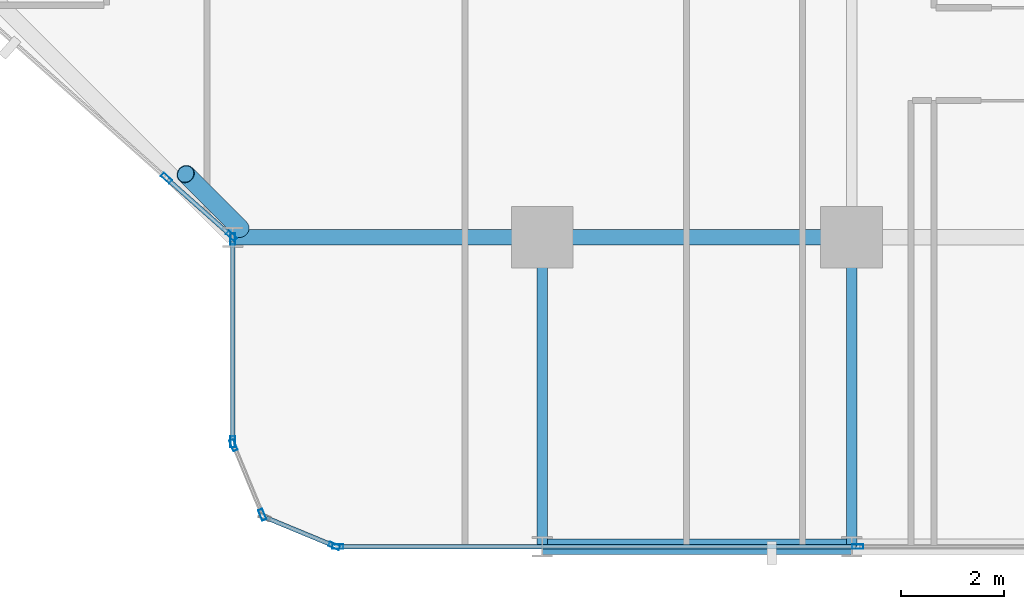
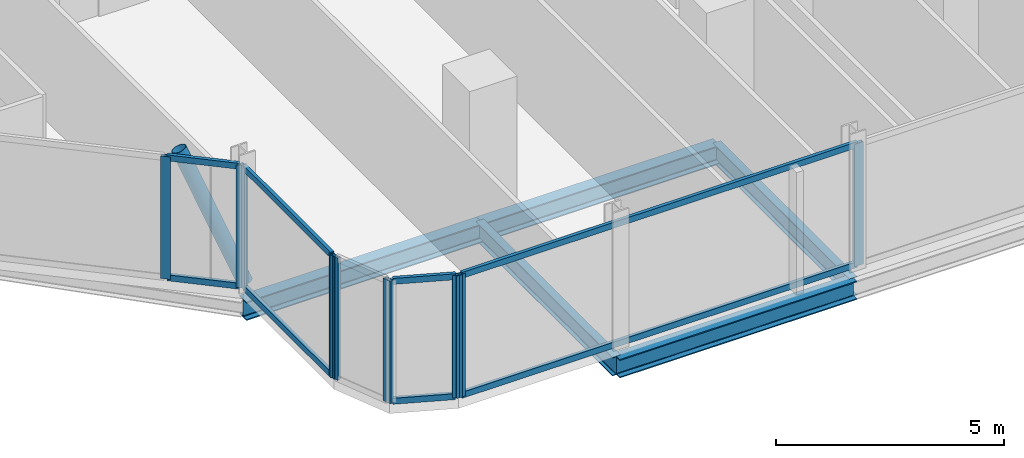
# One storey, part 4 of 34: 18 members, 5 beams, 5 elements without a shape of their own.
"""IFC4 building model written with IfcOpenShell, lengths in metres."""

from ifc_helpers import new_model, si_unit, direction, frame, origin, origin_2d, place, context, subcontext, project, spatial, hollow_rectangle, hollow_circle, i_section, extrude, material, layer, layer_set, material_profile, profile_set, type_object, element, aggregate, save


model = new_model("IFC4")

# Units and contexts
model_context = context("Model", 3, precision=1e-05, world=origin(), true_north=direction((0.0, 1.0)))
body_context = subcontext(model_context, "Body", "Model", "MODEL_VIEW")
ifc_project = project(units=[si_unit("LENGTHUNIT", "METRE"), si_unit("AREAUNIT", "SQUARE_METRE"), si_unit("VOLUMEUNIT", "CUBIC_METRE"), si_unit("PLANEANGLEUNIT", "RADIAN"), si_unit("MASSUNIT", "GRAM", prefix="KILO")], contexts=[model_context])

# Site, building, storey
site_placement = place(None, origin())
site = spatial("IfcSite", under=ifc_project, at=site_placement, CompositionType="ELEMENT")
building_placement = place(site_placement, origin())
building = spatial("IfcBuilding", under=site, at=building_placement, Name="Keshet Zoharim Tower", CompositionType="ELEMENT")
storey_placement = place(building_placement, frame((0.0, 0.0, 77.5)))
storey = spatial("IfcBuildingStorey", under=building, at=storey_placement, Name="L18", CompositionType="ELEMENT", Elevation=77.5)

# Beams
ifc_material_1 = material(Name="Steel S355", Category="steel")
ifc_material_profile_1 = material_profile(ifc_material_1, i_section(OverallWidth=0.199951171875, OverallDepth=0.5, WebThickness=0.01025390625, FlangeThickness=0.01611328125, FilletRadius=0.02099609375, at=origin_2d()), Name="IPE500")
ifc_profile_set_1 = profile_set([ifc_material_profile_1], Name="Steel S355")
beam_type_1 = type_object("IfcBeamType", Name="BM-PRI-IP500", PredefinedType="BEAM", material=ifc_profile_set_1)
for number, where, z_axis, x_axis, name in (
    (1, (27.0, 0.699951171875, -0.56494140625), (0.0, 1.0, 0.0), (-1.0, 0.0, 0.0), "L18 Primary Girder Y-004"),
    (2, (33.0, 0.699951171875, -0.56494140625), (0.0, 1.0, 0.0), (-1.0, 0.0, 0.0), "L18 Primary Girder Y-005"),
):
    element("IfcBeam", number, at=place(storey_placement, frame(where, z_axis=z_axis, x_axis=x_axis)), inside=storey, type_object=beam_type_1, Name=name, PredefinedType="BEAM", context=body_context, shape_type="SweptSolid", body=[
        extrude(i_section(OverallWidth=0.199951171875, OverallDepth=0.5, WebThickness=0.01025390625, FlangeThickness=0.01611328125, FilletRadius=0.02099609375, at=origin_2d()), origin(), (0.0, 0.0, 1.0), 6.0),
    ])
ifc_material_profile_2 = material_profile(ifc_material_1, i_section(OverallWidth=0.300048828125, OverallDepth=0.5, WebThickness=0.014404296875, FlangeThickness=0.028076171875, FilletRadius=0.027099609375, at=origin_2d()), Name="HEB500")
ifc_profile_set_2 = profile_set([ifc_material_profile_2], Name="Steel S355")
beam_type_2 = type_object("IfcBeamType", Name="BM-WEB-HB500", PredefinedType="BEAM", material=ifc_profile_set_2)
for number, where, z_axis, x_axis, name in (
    (3, (27.0, 0.699951171875, -0.56494140625), (1.0, 0.0, 0.0), (0.0, 1.0, 0.0), "L18 Primary Girder X-001"),
    (4, (21.0, 6.699951171875, -0.56494140625), (1.0, 0.0, 0.0), (0.0, 1.0, 0.0), "L18 Primary Girder X-006"),
    (5, (27.0, 6.699951171875, -0.56494140625), (1.0, 0.0, 0.0), (0.0, 1.0, 0.0), "L18 Primary Girder X-007"),
):
    element("IfcBeam", number, at=place(storey_placement, frame(where, z_axis=z_axis, x_axis=x_axis)), inside=storey, type_object=beam_type_2, Name=name, PredefinedType="BEAM", context=body_context, shape_type="SweptSolid", body=[
        extrude(i_section(OverallWidth=0.300048828125, OverallDepth=0.5, WebThickness=0.014404296875, FlangeThickness=0.028076171875, FilletRadius=0.027099609375, at=origin_2d()), origin(), (0.0, 0.0, 1.0), 6.0),
    ])

# Curtain wall, members
ifc_material_2 = material(Name="Aluminium 6063-T6", Category="aluminium")
ifc_layer = layer(ifc_material_2, 0.179931640625)
ifc_layer_set = layer_set([ifc_layer], Name="Aluminium 6063-T6")
curtain_wall_type = type_object("IfcCurtainWallType", Name="CW-SYS-01", PredefinedType="NOTDEFINED", material=ifc_layer_set)
curtain_wall_1_placement = place(storey_placement, origin())
curtain_wall_1 = element("IfcCurtainWall", 6, at=curtain_wall_1_placement, inside=storey, type_object=curtain_wall_type, Name="L18 Unitised Curtain Wall 01", PredefinedType="NOTDEFINED")
ifc_material_profile_3 = material_profile(ifc_material_2, hollow_rectangle(XDim=0.090087890625, YDim=0.219970703125, WallThickness=0.0048828125, at=origin_2d()), Name="MUL-90x220")
ifc_profile_set_3 = profile_set([ifc_material_profile_3], Name="Aluminium 6063-T6")
member_type_1 = type_object("IfcMemberType", Name="CWM-M22", PredefinedType="MULLION", material=ifc_profile_set_3)
member_1_placement = place(storey_placement, frame((20.973876953125, 6.72314453125, 0.0), z_axis=(0.0, 0.0, 1.0), x_axis=(-0.664367366638, -0.747406182839, 0.0)))
member_1 = element("IfcMember", 7, at=member_1_placement, type_object=member_type_1, Name="CW-01 mullion 1", PredefinedType="MULLION", context=body_context, shape_type="SweptSolid", body=[
    extrude(hollow_rectangle(XDim=0.090087890625, YDim=0.219970703125, WallThickness=0.0048828125, at=origin_2d()), origin(), (0.0, 0.0, 1.0), 3.280029296875),
])
member_2_placement = place(storey_placement, frame((19.711181640625, 7.845703125, 0.0), z_axis=(0.0, 0.0, 1.0), x_axis=(-0.664367366638, -0.747406182839, 0.0)))
member_2 = element("IfcMember", 8, at=member_2_placement, type_object=member_type_1, Name="CW-01 mullion 2", PredefinedType="MULLION", context=body_context, shape_type="SweptSolid", body=[
    extrude(hollow_rectangle(XDim=0.090087890625, YDim=0.219970703125, WallThickness=0.0048828125, at=origin_2d()), origin(), (0.0, 0.0, 1.0), 3.280029296875),
])

curtain_wall_2_placement = place(storey_placement, origin())
curtain_wall_2 = element("IfcCurtainWall", 9, at=curtain_wall_2_placement, inside=storey, type_object=curtain_wall_type, Name="L18 Unitised Curtain Wall 26 Part 3", PredefinedType="NOTDEFINED")
member_3_placement = place(storey_placement, frame((33.119140625, 0.699951171875, 0.0), z_axis=(0.0, 0.0, 1.0), x_axis=(0.0, -1.0, 0.0)))
member_3 = element("IfcMember", 10, at=member_3_placement, type_object=member_type_1, Name="CW-01 mullion 2", PredefinedType="MULLION", context=body_context, shape_type="SweptSolid", body=[
    extrude(hollow_rectangle(XDim=0.090087890625, YDim=0.219970703125, WallThickness=0.0048828125, at=origin_2d()), origin(), (0.0, 0.0, 1.0), 3.280029296875),
])
member_4_placement = place(storey_placement, frame((23.034912109375, 0.699951171875, 0.0), z_axis=(0.0, 0.0, 1.0), x_axis=(0.0, -1.0, 0.0)))
member_4 = element("IfcMember", 11, at=member_4_placement, type_object=member_type_1, Name="CW-01 mullion 3", PredefinedType="MULLION", context=body_context, shape_type="SweptSolid", body=[
    extrude(hollow_rectangle(XDim=0.090087890625, YDim=0.219970703125, WallThickness=0.0048828125, at=origin_2d()), origin(), (0.0, 0.0, 1.0), 3.280029296875),
])

# Curtain wall, member
curtain_wall_3_placement = place(storey_placement, origin())
curtain_wall_3 = element("IfcCurtainWall", 12, at=curtain_wall_3_placement, inside=storey, type_object=curtain_wall_type, Name="L18 Unitised Curtain Wall 27", PredefinedType="NOTDEFINED")
member_5_placement = place(storey_placement, frame((22.9677734375, 0.71337890625, 0.0), z_axis=(0.0, 0.0, 1.0), x_axis=(-0.382851849847, -0.92380975372, 0.0)))
member_5 = element("IfcMember", 13, at=member_5_placement, type_object=member_type_1, Name="CW-01 mullion 1", PredefinedType="MULLION", context=body_context, shape_type="SweptSolid", body=[
    extrude(hollow_rectangle(XDim=0.090087890625, YDim=0.219970703125, WallThickness=0.0048828125, at=origin_2d()), origin(), (0.0, 0.0, 1.0), 3.280029296875),
])

# Curtain wall, members
curtain_wall_4_placement = place(storey_placement, origin())
curtain_wall_4 = element("IfcCurtainWall", 14, at=curtain_wall_4_placement, inside=storey, type_object=curtain_wall_type, Name="L18 Unitised Curtain Wall 28", PredefinedType="NOTDEFINED")
member_6_placement = place(storey_placement, frame((21.572509765625, 1.318359375, 0.0), z_axis=(0.0, 0.0, 1.0), x_axis=(-0.92380975372, -0.382851849847, 0.0)))
member_6 = element("IfcMember", 15, at=member_6_placement, type_object=member_type_1, Name="CW-01 mullion 1", PredefinedType="MULLION", context=body_context, shape_type="SweptSolid", body=[
    extrude(hollow_rectangle(XDim=0.090087890625, YDim=0.219970703125, WallThickness=0.0048828125, at=origin_2d()), origin(), (0.0, 0.0, 1.0), 3.280029296875),
])
member_7_placement = place(storey_placement, frame((21.013427734375, 2.667724609375, 0.0), z_axis=(0.0, 0.0, 1.0), x_axis=(-0.92380975372, -0.382851849847, 0.0)))
member_7 = element("IfcMember", 16, at=member_7_placement, type_object=member_type_1, Name="CW-01 mullion 2", PredefinedType="MULLION", context=body_context, shape_type="SweptSolid", body=[
    extrude(hollow_rectangle(XDim=0.090087890625, YDim=0.219970703125, WallThickness=0.0048828125, at=origin_2d()), origin(), (0.0, 0.0, 1.0), 3.280029296875),
])
aggregate(curtain_wall_4, [member_6, member_7])

curtain_wall_5_placement = place(storey_placement, origin())
curtain_wall_5 = element("IfcCurtainWall", 17, at=curtain_wall_5_placement, inside=storey, type_object=curtain_wall_type, Name="L18 Unitised Curtain Wall 29", PredefinedType="NOTDEFINED")
member_8_placement = place(storey_placement, frame((21.0, 2.735107421875, 0.0), z_axis=(0.0, 0.0, 1.0), x_axis=(-1.0, 0.0, 0.0)))
member_8 = element("IfcMember", 18, at=member_8_placement, type_object=member_type_1, Name="CW-01 mullion 1", PredefinedType="MULLION", context=body_context, shape_type="SweptSolid", body=[
    extrude(hollow_rectangle(XDim=0.090087890625, YDim=0.219970703125, WallThickness=0.0048828125, at=origin_2d()), origin(), (0.0, 0.0, 1.0), 3.280029296875),
])
member_9_placement = place(storey_placement, frame((21.0, 6.6650390625, 0.0), z_axis=(0.0, 0.0, 1.0), x_axis=(-1.0, 0.0, 0.0)))
member_9 = element("IfcMember", 19, at=member_9_placement, type_object=member_type_1, Name="CW-01 mullion 2", PredefinedType="MULLION", context=body_context, shape_type="SweptSolid", body=[
    extrude(hollow_rectangle(XDim=0.090087890625, YDim=0.219970703125, WallThickness=0.0048828125, at=origin_2d()), origin(), (0.0, 0.0, 1.0), 3.280029296875),
])

# Member
ifc_material_profile_4 = material_profile(ifc_material_2, hollow_rectangle(XDim=0.0849609375, YDim=0.159912109375, WallThickness=0.00439453125, at=origin_2d()), Name="TRN-85x160")
ifc_profile_set_4 = profile_set([ifc_material_profile_4], Name="Aluminium 6063-T6")
member_type_2 = type_object("IfcMemberType", Name="CWT-T16", PredefinedType="USERDEFINED", material=ifc_profile_set_4)
member_10_placement = place(storey_placement, frame((20.94775390625, 6.74658203125, 0.034912109375), z_axis=(-0.747417635857, 0.664354481892, 0.0), x_axis=(-0.664354481892, -0.747417635857, 0.0)))
member_10 = element("IfcMember", 20, at=member_10_placement, type_object=member_type_2, Name="CW-01 transom 1.1", ObjectType="TRANSOM", PredefinedType="USERDEFINED", context=body_context, shape_type="SweptSolid", body=[
    extrude(hollow_rectangle(XDim=0.0849609375, YDim=0.159912109375, WallThickness=0.00439453125, at=origin_2d()), origin(), (0.0, 0.0, 1.0), 1.61962890625),
])

member_11_placement = place(storey_placement, frame((20.94775390625, 6.74658203125, 3.2451171875), z_axis=(-0.747417635857, 0.664354481892, 0.0), x_axis=(-0.664354481892, -0.747417635857, 0.0)))
member_11 = element("IfcMember", 21, at=member_11_placement, type_object=member_type_2, Name="CW-01 transom 1.2", ObjectType="TRANSOM", PredefinedType="USERDEFINED", context=body_context, shape_type="SweptSolid", body=[
    extrude(hollow_rectangle(XDim=0.0849609375, YDim=0.159912109375, WallThickness=0.00439453125, at=origin_2d()), origin(), (0.0, 0.0, 1.0), 1.61962890625),
])

aggregate(curtain_wall_1, [member_1, member_2, member_10, member_11])

member_12_placement = place(storey_placement, frame((33.084228515625, 0.699951171875, 0.034912109375), z_axis=(-1.0, 0.0, 0.0), x_axis=(0.0, -1.0, 0.0)))
member_12 = element("IfcMember", 22, at=member_12_placement, type_object=member_type_2, Name="CW-01 transom 2.1", ObjectType="TRANSOM", PredefinedType="USERDEFINED", context=body_context, shape_type="SweptSolid", body=[
    extrude(hollow_rectangle(XDim=0.0849609375, YDim=0.159912109375, WallThickness=0.00439453125, at=origin_2d()), origin(), (0.0, 0.0, 1.0), 10.01416015625),
])

member_13_placement = place(storey_placement, frame((33.084228515625, 0.699951171875, 3.2451171875), z_axis=(-1.0, 0.0, 0.0), x_axis=(0.0, -1.0, 0.0)))
member_13 = element("IfcMember", 23, at=member_13_placement, type_object=member_type_2, Name="CW-01 transom 2.2", ObjectType="TRANSOM", PredefinedType="USERDEFINED", context=body_context, shape_type="SweptSolid", body=[
    extrude(hollow_rectangle(XDim=0.0849609375, YDim=0.159912109375, WallThickness=0.00439453125, at=origin_2d()), origin(), (0.0, 0.0, 1.0), 10.01416015625),
])

aggregate(curtain_wall_2, [member_3, member_4, member_12, member_13])

member_14_placement = place(storey_placement, frame((22.935302734375, 0.726806640625, 0.034912109375), z_axis=(-0.92379209995, 0.382894445076, 0.0), x_axis=(-0.382894445076, -0.92379209995, 0.0)))
member_14 = element("IfcMember", 24, at=member_14_placement, type_object=member_type_2, Name="CW-01 transom 1.1", ObjectType="TRANSOM", PredefinedType="USERDEFINED", context=body_context, shape_type="SweptSolid", body=[
    extrude(hollow_rectangle(XDim=0.0849609375, YDim=0.159912109375, WallThickness=0.00439453125, at=origin_2d()), origin(), (0.0, 0.0, 1.0), 1.390625),
])

member_15_placement = place(storey_placement, frame((22.935302734375, 0.726806640625, 3.2451171875), z_axis=(-0.92379209995, 0.382894445076, 0.0), x_axis=(-0.382894445076, -0.92379209995, 0.0)))
member_15 = element("IfcMember", 25, at=member_15_placement, type_object=member_type_2, Name="CW-01 transom 1.2", ObjectType="TRANSOM", PredefinedType="USERDEFINED", context=body_context, shape_type="SweptSolid", body=[
    extrude(hollow_rectangle(XDim=0.0849609375, YDim=0.159912109375, WallThickness=0.00439453125, at=origin_2d()), origin(), (0.0, 0.0, 1.0), 1.390625),
])

aggregate(curtain_wall_3, [member_5, member_14, member_15])

member_16_placement = place(storey_placement, frame((21.0, 2.77001953125, 0.034912109375), z_axis=(0.0, 1.0, 0.0), x_axis=(-1.0, 0.0, 0.0)))
member_16 = element("IfcMember", 26, at=member_16_placement, type_object=member_type_2, Name="CW-01 transom 1.1", ObjectType="TRANSOM", PredefinedType="USERDEFINED", context=body_context, shape_type="SweptSolid", body=[
    extrude(hollow_rectangle(XDim=0.0849609375, YDim=0.159912109375, WallThickness=0.00439453125, at=origin_2d()), origin(), (0.0, 0.0, 1.0), 3.85986328125),
])

member_17_placement = place(storey_placement, frame((21.0, 2.77001953125, 3.2451171875), z_axis=(0.0, 1.0, 0.0), x_axis=(-1.0, 0.0, 0.0)))
member_17 = element("IfcMember", 27, at=member_17_placement, type_object=member_type_2, Name="CW-01 transom 1.2", ObjectType="TRANSOM", PredefinedType="USERDEFINED", context=body_context, shape_type="SweptSolid", body=[
    extrude(hollow_rectangle(XDim=0.0849609375, YDim=0.159912109375, WallThickness=0.00439453125, at=origin_2d()), origin(), (0.0, 0.0, 1.0), 3.85986328125),
])

aggregate(curtain_wall_5, [member_8, member_9, member_16, member_17])

ifc_material_profile_5 = material_profile(ifc_material_1, hollow_circle(Radius=0.177734375, WallThickness=0.012451171875, at=origin_2d()), Name="CHS355x12.5")
ifc_profile_set_5 = profile_set([ifc_material_profile_5], Name="Steel S355")
member_type_3 = type_object("IfcMemberType", Name="MB-BR-C355", PredefinedType="BRACE", material=ifc_profile_set_5)
member_18_placement = place(storey_placement, frame((21.14599609375, 6.864013671875, 0.0), z_axis=(-0.294163012709, 0.294163012709, 0.909360348766), x_axis=(-0.707106781187, -0.707106781187, 0.0)))
element("IfcMember", 28, at=member_18_placement, inside=storey, type_object=member_type_3, Name="L18 Perimeter Tube Brace 01", PredefinedType="BRACE", context=body_context, shape_type="SweptSolid", body=[
    extrude(hollow_circle(Radius=0.177734375, WallThickness=0.012451171875, at=origin_2d()), origin(), (0.0, 0.0, 1.0), 3.60693359375),
])

save(model, "model.ifc")
